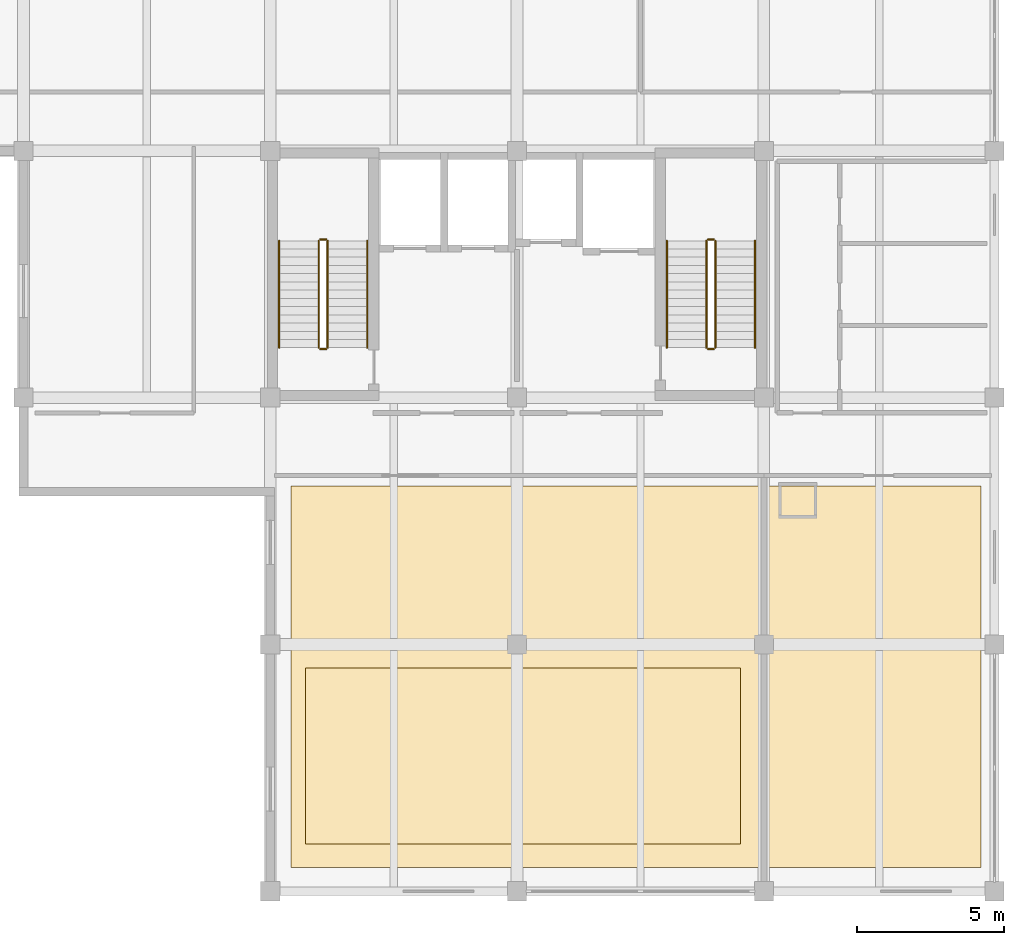
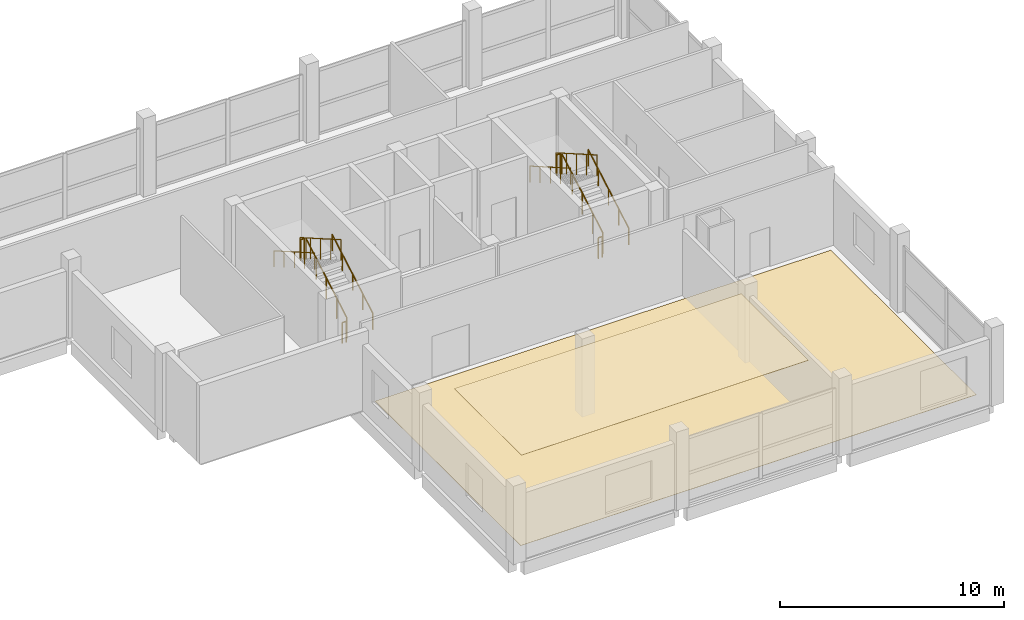
# One storey, part 9 of 9: 12 railings, 2 coverings.
"""IFC4 building model written with IfcOpenShell, lengths in metres."""

from ifc_helpers import new_model, si_unit, direction, frame, origin, origin_2d, place, context, subcontext, project, spatial, polyline, circle, outline, extrude, material, layer, layer_set, type_object, element, save


model = new_model("IFC4")

# Units and contexts
model_context = context("Model", 3, precision=1e-05, world=origin(), true_north=direction((0.0, 1.0)))
body_context = subcontext(model_context, "Body", "Model", "MODEL_VIEW")
ifc_project = project(units=[si_unit("LENGTHUNIT", "METRE"), si_unit("AREAUNIT", "SQUARE_METRE"), si_unit("VOLUMEUNIT", "CUBIC_METRE"), si_unit("PLANEANGLEUNIT", "RADIAN"), si_unit("MASSUNIT", "GRAM", prefix="KILO")], contexts=[model_context])

# Site, building, storey
site_placement = place(None, origin())
site = spatial("IfcSite", under=ifc_project, at=site_placement, CompositionType="ELEMENT")
building_placement = place(site_placement, origin())
building = spatial("IfcBuilding", under=site, at=building_placement, Name="Brinegate Botanical Conservatory", CompositionType="ELEMENT")
storey_placement = place(building_placement, frame((0.0, 0.0, 61.199951171875)))
storey = spatial("IfcBuildingStorey", under=building, at=storey_placement, Name="L15", CompositionType="ELEMENT", Elevation=61.199951171875)

# Coverings
ifc_material_1 = material(Name="Moisture-resistant acoustic mineral-fibre ceiling board", Category="gypsum")
ifc_layer_1 = layer(ifc_material_1, 0.02001953125, Name="Moisture-resistant acoustic mineral-fibre ceiling board", Category="gypsum")
ifc_layer_set_1 = layer_set([ifc_layer_1], Name="Moisture-resistant acoustic mineral-fibre ceiling board")
covering_type_1 = type_object("IfcCoveringType", Name="Cov_CLG-LAB", PredefinedType="CEILING", material=ifc_layer_set_1)
covering_1_placement = place(storey_placement, frame((0.0, 0.0, 4.260009765625)))
element("IfcCovering", 1, at=covering_1_placement, inside=storey, type_object=covering_type_1, Name="Laboratory acoustic mineral-fibre ceiling L15", PredefinedType="CEILING", context=body_context, shape_type="SweptSolid", body=[
    extrude(outline(polyline([(140.0, 80.0), (154.800048828125, 80.0), (154.800048828125, 86.0), (140.0, 86.0), (140.0, 80.0)])), origin(), (0.0, 0.0, 1.0), 0.02001953125),
])
ifc_material_2 = material(Name="Seamless chemical-resistant terrazzo and epoxy flooring", Category="concrete")
ifc_layer_2 = layer(ifc_material_2, 0.014892578125, Name="Seamless chemical-resistant terrazzo and epoxy flooring", Category="concrete")
ifc_layer_set_2 = layer_set([ifc_layer_2], Name="Seamless chemical-resistant terrazzo and epoxy flooring")
covering_type_2 = type_object("IfcCoveringType", Name="Cov_FLR-LAB", PredefinedType="FLOORING", material=ifc_layer_set_2)
covering_2_placement = place(storey_placement, origin())
element("IfcCovering", 2, at=covering_2_placement, inside=storey, type_object=covering_type_2, Name="Laboratory seamless terrazzo floor finish L15", PredefinedType="FLOORING", context=body_context, shape_type="SweptSolid", body=[
    extrude(outline(polyline([(139.5, 79.199951171875), (163.0, 79.199951171875), (163.0, 92.199951171875), (139.5, 92.199951171875), (139.5, 79.199951171875)])), origin(), (0.0, 0.0, 1.0), 0.01513671875),
])

# Railings
ifc_material_3 = material(Name="Structural steel Q355B / S355 painted tubular guardrail", Category="steel")
railing_type_1 = type_object("IfcRailingType", Name="Rail_ST-GRD", PredefinedType="GUARDRAIL", material=ifc_material_3)
railing_1_placement = place(storey_placement, frame((140.75, 96.89990234375, 0.16064453125)))
element("IfcRailing", 3, at=railing_1_placement, inside=storey, type_object=railing_type_1, Name="L15 ST1 stair guard 1", PredefinedType="GUARDRAIL", context=body_context, shape_type="SweptSolid", body=[
    extrude(circle(Radius=0.02392578125, at=origin_2d()), frame((0.0, 0.0, 1.1259765625), z_axis=(0.0, 0.867289372828, 0.497804322781), x_axis=(-1.0, 0.0, 0.0)), (0.0, 0.0, 1.0), 4.197021484375),
    extrude(circle(Radius=0.02099609375, at=origin_2d()), origin(), (0.0, 0.0, 1.0), 1.101806640625),
    extrude(circle(Radius=0.02099609375, at=origin_2d()), frame((0.0, 0.91015625, 0.5224609375)), (0.0, 0.0, 1.0), 1.101806640625),
    extrude(circle(Radius=0.02099609375, at=origin_2d()), frame((0.0, 1.820068359375, 1.044677734375)), (0.0, 0.0, 1.0), 1.101806640625),
    extrude(circle(Radius=0.02099609375, at=origin_2d()), frame((0.0, 2.72998046875, 1.56689453125)), (0.0, 0.0, 1.0), 1.101806640625),
    extrude(circle(Radius=0.02099609375, at=origin_2d()), frame((0.0, 3.64013671875, 2.08935546875)), (0.0, 0.0, 1.0), 1.101806640625),
])
railing_2_placement = place(storey_placement, frame((140.699951171875, 100.590087890625, 2.25)))
element("IfcRailing", 4, at=railing_2_placement, inside=storey, type_object=railing_type_1, Name="L15 ST1 stair guard 2", PredefinedType="GUARDRAIL", context=body_context, shape_type="SweptSolid", body=[
    extrude(circle(Radius=0.02392578125, at=origin_2d()), frame((0.0, 0.0, 1.1259765625), z_axis=(-1.0, 0.0, 0.0), x_axis=(0.0, -1.0, 0.0)), (0.0, 0.0, 1.0), 0.199951171875),
    extrude(circle(Radius=0.02099609375, at=origin_2d()), origin(), (0.0, 0.0, 1.0), 1.101806640625),
    extrude(circle(Radius=0.02099609375, at=origin_2d()), frame((-0.199951171875, 0.0, 0.0)), (0.0, 0.0, 1.0), 1.101806640625),
])
railing_3_placement = place(storey_placement, frame((140.449951171875, 100.5400390625, 2.41064453125)))
element("IfcRailing", 5, at=railing_3_placement, inside=storey, type_object=railing_type_1, Name="L15 ST1 stair guard 3", PredefinedType="GUARDRAIL", context=body_context, shape_type="SweptSolid", body=[
    extrude(circle(Radius=0.02392578125, at=origin_2d()), frame((0.0, 0.0, 1.1259765625), z_axis=(0.0, -0.867289372828, 0.497804322781), x_axis=(1.0, 0.0, 0.0)), (0.0, 0.0, 1.0), 4.197021484375),
    extrude(circle(Radius=0.02099609375, at=origin_2d()), origin(), (0.0, 0.0, 1.0), 1.101806640625),
    extrude(circle(Radius=0.02099609375, at=origin_2d()), frame((0.0, -0.91015625, 0.5224609375)), (0.0, 0.0, 1.0), 1.101806640625),
    extrude(circle(Radius=0.02099609375, at=origin_2d()), frame((0.0, -1.820068359375, 1.044677734375)), (0.0, 0.0, 1.0), 1.101806640625),
    extrude(circle(Radius=0.02099609375, at=origin_2d()), frame((0.0, -2.72998046875, 1.56689453125)), (0.0, 0.0, 1.0), 1.101806640625),
    extrude(circle(Radius=0.02099609375, at=origin_2d()), frame((0.0, -3.64013671875, 2.08935546875)), (0.0, 0.0, 1.0), 1.101806640625),
])
railing_4_placement = place(storey_placement, frame((140.699951171875, 96.85009765625, 0.0)))
element("IfcRailing", 6, at=railing_4_placement, inside=storey, type_object=railing_type_1, Name="L15 ST1 stair guard 4", PredefinedType="GUARDRAIL", context=body_context, shape_type="SweptSolid", body=[
    extrude(circle(Radius=0.02392578125, at=origin_2d()), frame((0.0, 0.0, 1.1259765625), z_axis=(-1.0, 0.0, 0.0), x_axis=(0.0, -1.0, 0.0)), (0.0, 0.0, 1.0), 0.199951171875),
    extrude(circle(Radius=0.02099609375, at=origin_2d()), origin(), (0.0, 0.0, 1.0), 1.101806640625),
    extrude(circle(Radius=0.02099609375, at=origin_2d()), frame((-0.199951171875, 0.0, 0.0)), (0.0, 0.0, 1.0), 1.101806640625),
])
railing_5_placement = place(storey_placement, frame((153.949951171875, 96.89990234375, 0.16064453125)))
element("IfcRailing", 7, at=railing_5_placement, inside=storey, type_object=railing_type_1, Name="L15 ST2 stair guard 1", PredefinedType="GUARDRAIL", context=body_context, shape_type="SweptSolid", body=[
    extrude(circle(Radius=0.02392578125, at=origin_2d()), frame((0.0, 0.0, 1.1259765625), z_axis=(0.0, 0.867289372828, 0.497804322781), x_axis=(-1.0, 0.0, 0.0)), (0.0, 0.0, 1.0), 4.197021484375),
    extrude(circle(Radius=0.02099609375, at=origin_2d()), origin(), (0.0, 0.0, 1.0), 1.101806640625),
    extrude(circle(Radius=0.02099609375, at=origin_2d()), frame((0.0, 0.91015625, 0.5224609375)), (0.0, 0.0, 1.0), 1.101806640625),
    extrude(circle(Radius=0.02099609375, at=origin_2d()), frame((0.0, 1.820068359375, 1.044677734375)), (0.0, 0.0, 1.0), 1.101806640625),
    extrude(circle(Radius=0.02099609375, at=origin_2d()), frame((0.0, 2.72998046875, 1.56689453125)), (0.0, 0.0, 1.0), 1.101806640625),
    extrude(circle(Radius=0.02099609375, at=origin_2d()), frame((0.0, 3.64013671875, 2.08935546875)), (0.0, 0.0, 1.0), 1.101806640625),
])
railing_6_placement = place(storey_placement, frame((153.89990234375, 100.590087890625, 2.25)))
element("IfcRailing", 8, at=railing_6_placement, inside=storey, type_object=railing_type_1, Name="L15 ST2 stair guard 2", PredefinedType="GUARDRAIL", context=body_context, shape_type="SweptSolid", body=[
    extrude(circle(Radius=0.02392578125, at=origin_2d()), frame((0.0, 0.0, 1.1259765625), z_axis=(-1.0, 0.0, 0.0), x_axis=(0.0, -1.0, 0.0)), (0.0, 0.0, 1.0), 0.199951171875),
    extrude(circle(Radius=0.02099609375, at=origin_2d()), origin(), (0.0, 0.0, 1.0), 1.101806640625),
    extrude(circle(Radius=0.02099609375, at=origin_2d()), frame((-0.199951171875, 0.0, 0.0)), (0.0, 0.0, 1.0), 1.101806640625),
])
railing_7_placement = place(storey_placement, frame((153.64990234375, 100.5400390625, 2.41064453125)))
element("IfcRailing", 9, at=railing_7_placement, inside=storey, type_object=railing_type_1, Name="L15 ST2 stair guard 3", PredefinedType="GUARDRAIL", context=body_context, shape_type="SweptSolid", body=[
    extrude(circle(Radius=0.02392578125, at=origin_2d()), frame((0.0, 0.0, 1.1259765625), z_axis=(0.0, -0.867289372828, 0.497804322781), x_axis=(1.0, 0.0, 0.0)), (0.0, 0.0, 1.0), 4.197021484375),
    extrude(circle(Radius=0.02099609375, at=origin_2d()), origin(), (0.0, 0.0, 1.0), 1.101806640625),
    extrude(circle(Radius=0.02099609375, at=origin_2d()), frame((0.0, -0.91015625, 0.5224609375)), (0.0, 0.0, 1.0), 1.101806640625),
    extrude(circle(Radius=0.02099609375, at=origin_2d()), frame((0.0, -1.820068359375, 1.044677734375)), (0.0, 0.0, 1.0), 1.101806640625),
    extrude(circle(Radius=0.02099609375, at=origin_2d()), frame((0.0, -2.72998046875, 1.56689453125)), (0.0, 0.0, 1.0), 1.101806640625),
    extrude(circle(Radius=0.02099609375, at=origin_2d()), frame((0.0, -3.64013671875, 2.08935546875)), (0.0, 0.0, 1.0), 1.101806640625),
])
railing_8_placement = place(storey_placement, frame((153.89990234375, 96.85009765625, 0.0)))
element("IfcRailing", 10, at=railing_8_placement, inside=storey, type_object=railing_type_1, Name="L15 ST2 stair guard 4", PredefinedType="GUARDRAIL", context=body_context, shape_type="SweptSolid", body=[
    extrude(circle(Radius=0.02392578125, at=origin_2d()), frame((0.0, 0.0, 1.1259765625), z_axis=(-1.0, 0.0, 0.0), x_axis=(0.0, -1.0, 0.0)), (0.0, 0.0, 1.0), 0.199951171875),
    extrude(circle(Radius=0.02099609375, at=origin_2d()), origin(), (0.0, 0.0, 1.0), 1.101806640625),
    extrude(circle(Radius=0.02099609375, at=origin_2d()), frame((-0.199951171875, 0.0, 0.0)), (0.0, 0.0, 1.0), 1.101806640625),
])
ifc_material_4 = material(Name="Brushed stainless steel S355 handrail", Category="steel")
railing_type_2 = type_object("IfcRailingType", Name="Rail_ST-HND", PredefinedType="HANDRAIL", material=ifc_material_4)
railing_9_placement = place(storey_placement, frame((142.10009765625, 96.89990234375, 0.16064453125)))
element("IfcRailing", 11, at=railing_9_placement, inside=storey, type_object=railing_type_2, Name="L15 ST1 stair handrail 1", PredefinedType="HANDRAIL", context=body_context, shape_type="SweptSolid", body=[
    extrude(circle(Radius=0.02392578125, at=origin_2d()), frame((0.0, 0.0, 0.8759765625), z_axis=(0.0, 0.867289372828, 0.497804322781), x_axis=(-1.0, 0.0, 0.0)), (0.0, 0.0, 1.0), 4.197021484375),
    extrude(circle(Radius=0.02099609375, at=origin_2d()), origin(), (0.0, 0.0, 1.0), 0.851806640625),
    extrude(circle(Radius=0.02099609375, at=origin_2d()), frame((0.0, 0.91015625, 0.5224609375)), (0.0, 0.0, 1.0), 0.851806640625),
    extrude(circle(Radius=0.02099609375, at=origin_2d()), frame((0.0, 1.820068359375, 1.044677734375)), (0.0, 0.0, 1.0), 0.851806640625),
    extrude(circle(Radius=0.02099609375, at=origin_2d()), frame((0.0, 2.72998046875, 1.56689453125)), (0.0, 0.0, 1.0), 0.851806640625),
    extrude(circle(Radius=0.02099609375, at=origin_2d()), frame((0.0, 3.64013671875, 2.08935546875)), (0.0, 0.0, 1.0), 0.851806640625),
])
railing_10_placement = place(storey_placement, frame((139.10009765625, 100.5400390625, 2.41064453125)))
element("IfcRailing", 12, at=railing_10_placement, inside=storey, type_object=railing_type_2, Name="L15 ST1 stair handrail 2", PredefinedType="HANDRAIL", context=body_context, shape_type="SweptSolid", body=[
    extrude(circle(Radius=0.02392578125, at=origin_2d()), frame((0.0, 0.0, 0.8759765625), z_axis=(0.0, -0.867289372828, 0.497804322781), x_axis=(1.0, 0.0, 0.0)), (0.0, 0.0, 1.0), 4.197021484375),
    extrude(circle(Radius=0.02099609375, at=origin_2d()), origin(), (0.0, 0.0, 1.0), 0.851806640625),
    extrude(circle(Radius=0.02099609375, at=origin_2d()), frame((0.0, -0.91015625, 0.5224609375)), (0.0, 0.0, 1.0), 0.851806640625),
    extrude(circle(Radius=0.02099609375, at=origin_2d()), frame((0.0, -1.820068359375, 1.044677734375)), (0.0, 0.0, 1.0), 0.851806640625),
    extrude(circle(Radius=0.02099609375, at=origin_2d()), frame((0.0, -2.72998046875, 1.56689453125)), (0.0, 0.0, 1.0), 0.851806640625),
    extrude(circle(Radius=0.02099609375, at=origin_2d()), frame((0.0, -3.64013671875, 2.08935546875)), (0.0, 0.0, 1.0), 0.851806640625),
])
railing_11_placement = place(storey_placement, frame((155.300048828125, 96.89990234375, 0.16064453125)))
element("IfcRailing", 13, at=railing_11_placement, inside=storey, type_object=railing_type_2, Name="L15 ST2 stair handrail 1", PredefinedType="HANDRAIL", context=body_context, shape_type="SweptSolid", body=[
    extrude(circle(Radius=0.02392578125, at=origin_2d()), frame((0.0, 0.0, 0.8759765625), z_axis=(0.0, 0.867289372828, 0.497804322781), x_axis=(-1.0, 0.0, 0.0)), (0.0, 0.0, 1.0), 4.197021484375),
    extrude(circle(Radius=0.02099609375, at=origin_2d()), origin(), (0.0, 0.0, 1.0), 0.851806640625),
    extrude(circle(Radius=0.02099609375, at=origin_2d()), frame((0.0, 0.91015625, 0.5224609375)), (0.0, 0.0, 1.0), 0.851806640625),
    extrude(circle(Radius=0.02099609375, at=origin_2d()), frame((0.0, 1.820068359375, 1.044677734375)), (0.0, 0.0, 1.0), 0.851806640625),
    extrude(circle(Radius=0.02099609375, at=origin_2d()), frame((0.0, 2.72998046875, 1.56689453125)), (0.0, 0.0, 1.0), 0.851806640625),
    extrude(circle(Radius=0.02099609375, at=origin_2d()), frame((0.0, 3.64013671875, 2.08935546875)), (0.0, 0.0, 1.0), 0.851806640625),
])
railing_12_placement = place(storey_placement, frame((152.300048828125, 100.5400390625, 2.41064453125)))
element("IfcRailing", 14, at=railing_12_placement, inside=storey, type_object=railing_type_2, Name="L15 ST2 stair handrail 2", PredefinedType="HANDRAIL", context=body_context, shape_type="SweptSolid", body=[
    extrude(circle(Radius=0.02392578125, at=origin_2d()), frame((0.0, 0.0, 0.8759765625), z_axis=(0.0, -0.867289372828, 0.497804322781), x_axis=(1.0, 0.0, 0.0)), (0.0, 0.0, 1.0), 4.197021484375),
    extrude(circle(Radius=0.02099609375, at=origin_2d()), origin(), (0.0, 0.0, 1.0), 0.851806640625),
    extrude(circle(Radius=0.02099609375, at=origin_2d()), frame((0.0, -0.91015625, 0.5224609375)), (0.0, 0.0, 1.0), 0.851806640625),
    extrude(circle(Radius=0.02099609375, at=origin_2d()), frame((0.0, -1.820068359375, 1.044677734375)), (0.0, 0.0, 1.0), 0.851806640625),
    extrude(circle(Radius=0.02099609375, at=origin_2d()), frame((0.0, -2.72998046875, 1.56689453125)), (0.0, 0.0, 1.0), 0.851806640625),
    extrude(circle(Radius=0.02099609375, at=origin_2d()), frame((0.0, -3.64013671875, 2.08935546875)), (0.0, 0.0, 1.0), 0.851806640625),
])

save(model, "model.ifc")
